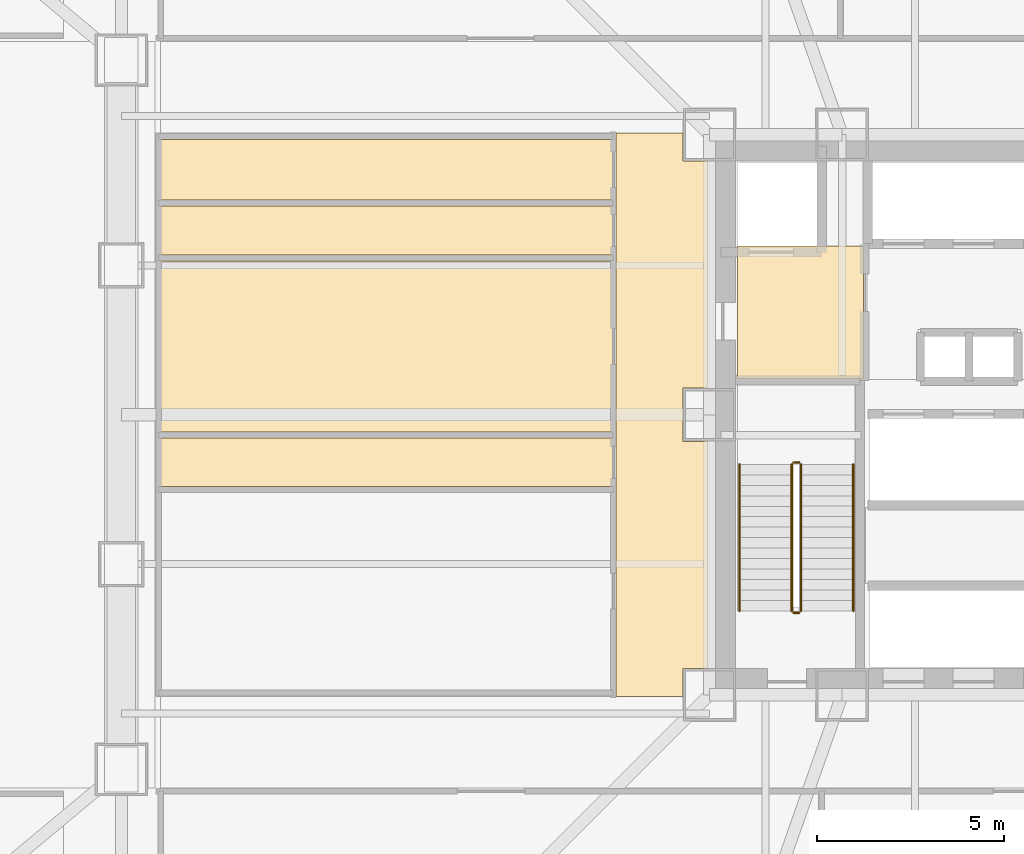
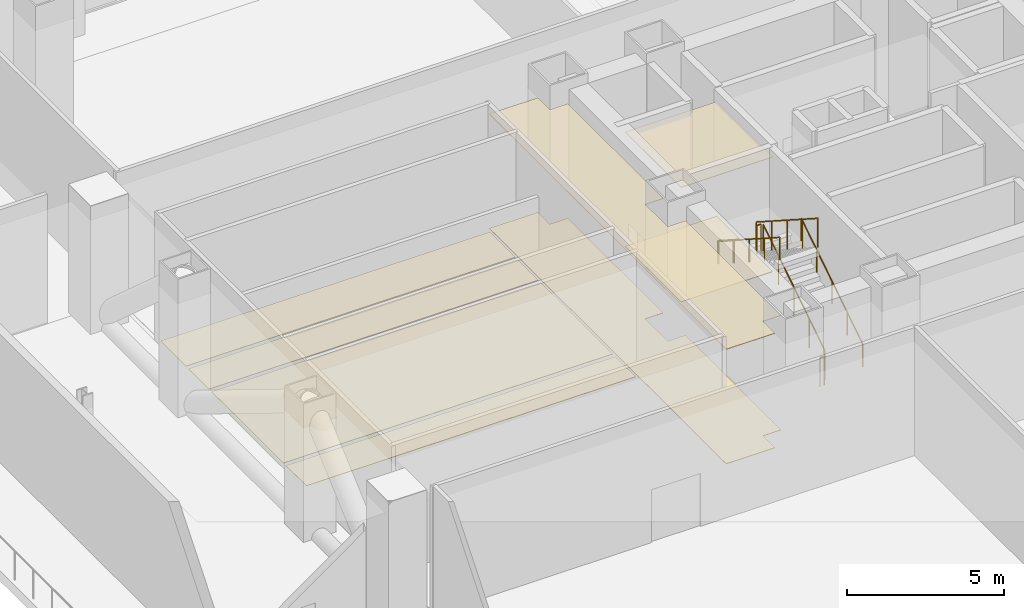
# One storey, part 18 of 21: 8 coverings, 6 railings.
"""IFC4 building model written with IfcOpenShell, lengths in metres."""

import ifcopenshell
import ifcopenshell.guid

model = None  # the IFC model being written
_history = None  # IfcOwnerHistory: only IFC2X3 demands one
_inside = {}  # id of a spatial element -> (the spatial element, [elements in it])
_under = {}  # id of a project, library or spatial element -> (it, [spatial elements below it])
_declared = {}  # id of a project -> (the project, [libraries it declares])
_typed = {}  # id of a type object -> (the type object, [elements of that type])
_made_of = {}  # id of a material, layer set ... -> (it, [elements and type objects made of it])


def new_model(schema):
    """Start an empty IFC model of exactly this schema.

    Asked for "IFC4X3", IfcOpenShell would pick the latest addendum, in which some entities
    have other attributes; the version numbers below select the first issue.
    IFC2X3 requires an IfcOwnerHistory on every rooted entity: one is made here for all.
    """
    global model, _history
    if schema == "IFC4X3":
        model = ifcopenshell.file(schema_version=(4, 3, 0, 0))
    else:
        model = ifcopenshell.file(schema=schema)
    _inside.clear()
    _under.clear()
    _declared.clear()
    _typed.clear()
    _made_of.clear()
    _history = None
    if model.schema == "IFC2X3":
        org = make("IfcOrganization", Name="unknown")
        user = make(
            "IfcPersonAndOrganization",
            ThePerson=make("IfcPerson", FamilyName="unknown"),
            TheOrganization=org,
        )
        app = make(
            "IfcApplication",
            ApplicationDeveloper=org,
            Version="unknown",
            ApplicationFullName="unknown",
            ApplicationIdentifier="unknown",
        )
        _history = make(
            "IfcOwnerHistory",
            OwningUser=user,
            OwningApplication=app,
            ChangeAction="ADDED",
            CreationDate=0,
        )
    return model


def make(cls, **values):
    """One entity of the class cls with the attributes given. An attribute that is None is left unset."""
    return model.create_entity(
        cls, **{name: value for name, value in values.items() if value is not None}
    )


def rooted(cls, **values):
    """An entity with a GlobalId (a new one), such as an element, a storey or a relation."""
    return make(cls, GlobalId=ifcopenshell.guid.new(), OwnerHistory=_history, **values)


def si_unit(unit_type, name, prefix=None):
    """IfcSIUnit, for example si_unit("LENGTHUNIT", "METRE", prefix="MILLI")."""
    return make("IfcSIUnit", UnitType=unit_type, Prefix=prefix, Name=name)


def assignment(units):
    """IfcUnitAssignment: the units of a project."""
    return None if units is None else make("IfcUnitAssignment", Units=units)


def point(xyz):
    """IfcCartesianPoint."""
    return None if xyz is None else make("IfcCartesianPoint", Coordinates=xyz)


def direction(xyz):
    """IfcDirection."""
    return None if xyz is None else make("IfcDirection", DirectionRatios=xyz)


def frame(location, z_axis=None, x_axis=None):
    """IfcAxis2Placement3D, a coordinate frame: its origin and axes. An axis left out is left unset."""
    return make(
        "IfcAxis2Placement3D",
        Location=point(location),
        Axis=direction(z_axis),
        RefDirection=direction(x_axis),
    )


def frame_2d(location, x_axis=None):
    """IfcAxis2Placement2D, a coordinate frame in the plane: its origin and x axis."""
    return make(
        "IfcAxis2Placement2D", Location=point(location), RefDirection=direction(x_axis)
    )


def origin():
    """The frame at (0, 0, 0) with its axes left unset."""
    return frame((0.0, 0.0, 0.0))


def origin_2d():
    """The frame at (0, 0) in the plane with its x axis left unset."""
    return frame_2d((0.0, 0.0))


def place(relative_to, where):
    """IfcLocalPlacement: puts the frame where relative to a parent placement (None: the world)."""
    return make(
        "IfcLocalPlacement", PlacementRelTo=relative_to, RelativePlacement=where
    )


def context(
    kind, dimensions, precision=None, world=None, true_north=None, identifier=None
):
    """IfcGeometricRepresentationContext, for example the 3D "Model" context."""
    return make(
        "IfcGeometricRepresentationContext",
        ContextIdentifier=identifier,
        ContextType=kind,
        CoordinateSpaceDimension=dimensions,
        Precision=precision,
        WorldCoordinateSystem=world,
        TrueNorth=true_north,
    )


def subcontext(parent, identifier, kind, view, scale=None):
    """IfcGeometricRepresentationSubContext, for example "Body" below "Model"."""
    return make(
        "IfcGeometricRepresentationSubContext",
        ContextIdentifier=identifier,
        ContextType=kind,
        ParentContext=parent,
        TargetScale=scale,
        TargetView=view,
    )


def project(units=None, contexts=None):
    """IfcProject with its units and contexts."""
    return rooted(
        "IfcProject",
        Name="project",
        RepresentationContexts=contexts,
        UnitsInContext=assignment(units),
    )


def spatial(cls, under=None, at=None, **own):
    """A site, building, storey or space (cls), placed at a placement, below another one or the project."""
    s = rooted(cls, ObjectPlacement=at, **own)
    if under is not None:
        _under.setdefault(under.id(), (under, []))[1].append(s)
    return s


def polyline(points):
    """IfcPolyline through the points."""
    return make("IfcPolyline", Points=[point(p) for p in points])


def profile(cls, at=None, kind="AREA", **sizes):
    """A parametric profile (cls). Its sizes go by their IFC names, for example OverallWidth=200.0."""
    return make(cls, ProfileType=kind, Position=at, **sizes)


def circle(**sizes):
    """IfcCircleProfileDef."""
    return profile("IfcCircleProfileDef", **sizes)


def outline(outer, holes=None, kind="AREA"):
    """IfcArbitraryClosedProfileDef: a profile drawn as a closed curve; with holes, ...WithVoids."""
    if holes is None:
        return make("IfcArbitraryClosedProfileDef", ProfileType=kind, OuterCurve=outer)
    return make(
        "IfcArbitraryProfileDefWithVoids",
        ProfileType=kind,
        OuterCurve=outer,
        InnerCurves=holes,
    )


def extrude(swept, where, along, depth):
    """IfcExtrudedAreaSolid: the profile swept, set in the frame where, extruded along a direction by depth."""
    return make(
        "IfcExtrudedAreaSolid",
        SweptArea=swept,
        Position=where,
        ExtrudedDirection=direction(along),
        Depth=depth,
    )


def shape(context_of_items, identifier, shape_type, items):
    """IfcShapeRepresentation: the items that make up one representation, for example the "Body"."""
    return make(
        "IfcShapeRepresentation",
        ContextOfItems=context_of_items,
        RepresentationIdentifier=identifier,
        RepresentationType=shape_type,
        Items=items,
    )


def material(Name=None, Category=None):
    """IfcMaterial."""
    return make("IfcMaterial", Name=Name, Category=Category)


def layer(
    of_material, thickness, ventilated=None, Name=None, Category=None, Priority=None
):
    """IfcMaterialLayer: one layer of a wall or slab, of a material (None: an air gap)."""
    return make(
        "IfcMaterialLayer",
        Material=of_material,
        LayerThickness=thickness,
        IsVentilated=ventilated,
        Name=Name,
        Category=Category,
        Priority=Priority,
    )


def layer_set(layers, Name=None):
    """IfcMaterialLayerSet."""
    return make("IfcMaterialLayerSet", MaterialLayers=layers, LayerSetName=Name)


def made_of(thing, what):
    """Note that an element or type object is made of a material, layer set ...; save() writes the relation."""
    if what is not None:
        _made_of.setdefault(what.id(), (what, []))[1].append(thing)
    return thing


def type_object(cls, material=None, **own):
    """A type object (cls), such as IfcWallType, which elements share."""
    return made_of(rooted(cls, **own), material)


def element(
    cls,
    number,
    at=None,
    inside=None,
    cuts=None,
    type_object=None,
    material=None,
    context=None,
    identifier="Body",
    shape_type=None,
    held_by="IfcProductDefinitionShape",
    body=None,
    shapes=None,
    **own,
):
    """One element of the class cls, such as IfcWall. Its Tag is "e" and its number.

    at: its placement. inside: the storey or other place that contains it. cuts: it is an
    opening in that element (IfcRelVoidsElement). A single representation is given by context,
    identifier, shape_type and body (its items); several are given by shapes. held_by: the class
    of the entity that holds the representations. save() writes the other relations.
    """
    e = rooted(cls, Tag="e%d" % number, ObjectPlacement=at, **own)
    if body is not None:
        shapes = [shape(context, identifier, shape_type, body)]
    if shapes is not None:
        e.Representation = make(held_by, Representations=shapes)
    if inside is not None:
        _inside.setdefault(inside.id(), (inside, []))[1].append(e)
    if cuts is not None:
        rooted(
            "IfcRelVoidsElement", RelatingBuildingElement=cuts, RelatedOpeningElement=e
        )
    if type_object is not None:
        _typed.setdefault(type_object.id(), (type_object, []))[1].append(e)
    return made_of(e, material)


def aggregate(whole, parts):
    """IfcRelAggregates: a whole, such as a stair, and the parts it consists of."""
    return rooted("IfcRelAggregates", RelatingObject=whole, RelatedObjects=parts)


def save(model, path):
    """Write the relations noted so far, then the file.

    IfcRelAggregates (storeys below a building ...), IfcRelContainedInSpatialStructure (elements
    in a storey), IfcRelDefinesByType, IfcRelAssociatesMaterial and IfcRelDeclares: one each for
    every whole, place, type object, material and project.
    """
    for whole, parts in _under.values():
        aggregate(whole, parts)
    for where, things in _inside.values():
        rooted(
            "IfcRelContainedInSpatialStructure",
            RelatedElements=things,
            RelatingStructure=where,
        )
    for kind, things in _typed.values():
        rooted("IfcRelDefinesByType", RelatedObjects=things, RelatingType=kind)
    for what, things in _made_of.values():
        rooted("IfcRelAssociatesMaterial", RelatedObjects=things, RelatingMaterial=what)
    for by, libraries in _declared.values():
        rooted("IfcRelDeclares", RelatingContext=by, RelatedDefinitions=libraries)
    model.write(path)


model = new_model("IFC4")

# Units and contexts
model_context = context("Model", 3, precision=1e-05, world=origin(), true_north=direction((0.0, 1.0)))
body_context = subcontext(model_context, "Body", "Model", "MODEL_VIEW")
ifc_project = project(units=[si_unit("LENGTHUNIT", "METRE"), si_unit("AREAUNIT", "SQUARE_METRE"), si_unit("VOLUMEUNIT", "CUBIC_METRE"), si_unit("PLANEANGLEUNIT", "RADIAN"), si_unit("MASSUNIT", "GRAM", prefix="KILO")], contexts=[model_context])

# Site, building, storey
site_placement = place(None, origin())
site = spatial("IfcSite", under=ifc_project, at=site_placement, CompositionType="ELEMENT")
building_placement = place(site_placement, origin())
building = spatial("IfcBuilding", under=site, at=building_placement, Name="Trevonay Congress Spire", CompositionType="ELEMENT")
storey_placement = place(building_placement, frame((0.0, 0.0, 21.60009765625)))
storey = spatial("IfcBuildingStorey", under=building, at=storey_placement, Name="L04", CompositionType="ELEMENT", Elevation=21.60009765625)

# Coverings
ifc_material_1 = material(Name="Acoustic Mineral Fibre Board", Category="gypsum")
ifc_layer_1 = layer(ifc_material_1, 0.02490234375, Name="Acoustic Mineral Fibre Board")
ifc_layer_set_1 = layer_set([ifc_layer_1], Name="Acoustic Mineral Fibre Board")
covering_type_1 = type_object("IfcCoveringType", Name="COV-CEIL-ACOUSTIC", PredefinedType="CEILING", material=ifc_layer_set_1)
covering_1_placement = place(storey_placement, frame((0.0, 0.0, 4.449951171875)))
element("IfcCovering", 1, at=covering_1_placement, inside=storey, type_object=covering_type_1, Name="L04 Firefighting Lift Lobby West acoustic suspended ceiling", PredefinedType="CEILING", context=body_context, shape_type="SweptSolid", body=[
    extrude(outline(polyline([(-6.75, 0.9599609375), (-3.3798828125, 0.9599609375), (-3.3798828125, 4.52001953125), (-6.75, 4.52001953125), (-6.75, 0.9599609375)])), origin(), (0.0, 0.0, 1.0), 0.02490234375),
])
covering_2_placement = place(storey_placement, frame((0.0, 0.0, 4.449951171875)))
element("IfcCovering", 2, at=covering_2_placement, inside=storey, type_object=covering_type_1, Name="L04 L04 Grand Concourse West acoustic suspended ceiling", PredefinedType="CEILING", context=body_context, shape_type="SweptSolid", body=[
    extrude(outline(polyline([(-10.0, 7.550048828125), (-8.2099609375, 7.550048828125), (-8.2099609375, 6.7900390625), (-7.550048828125, 6.7900390625), (-7.550048828125, 0.7099609375), (-8.2099609375, 0.7099609375), (-8.2099609375, -0.7099609375), (-7.550048828125, -0.7099609375), (-7.550048828125, -6.7900390625), (-8.2099609375, -6.7900390625), (-8.2099609375, -7.550048828125), (-10.0, -7.550048828125), (-10.0, 7.550048828125)])), origin(), (0.0, 0.0, 1.0), 0.02490234375),
])
ifc_material_2 = material(Name="Polished Granite Floor Tile", Category="masonry")
ifc_layer_2 = layer(ifc_material_2, 0.02001953125, Name="Polished Granite Floor Tile")
ifc_layer_set_2 = layer_set([ifc_layer_2], Name="Polished Granite Floor Tile")
covering_type_2 = type_object("IfcCoveringType", Name="COV-FLOOR-STONE", PredefinedType="FLOORING", material=ifc_layer_set_2)
covering_3_placement = place(storey_placement, origin())
element("IfcCovering", 3, at=covering_3_placement, inside=storey, type_object=covering_type_2, Name="L04 Firefighting Lift Lobby West floor finish", PredefinedType="FLOORING", context=body_context, shape_type="SweptSolid", body=[
    extrude(outline(polyline([(-6.75, 0.9599609375), (-3.3798828125, 0.9599609375), (-3.3798828125, 4.52001953125), (-6.75, 4.52001953125), (-6.75, 0.9599609375)])), origin(), (0.0, 0.0, 1.0), 0.02001953125),
])
covering_4_placement = place(storey_placement, origin())
element("IfcCovering", 4, at=covering_4_placement, inside=storey, type_object=covering_type_2, Name="L04 L04 Grand Concourse West floor finish", PredefinedType="FLOORING", context=body_context, shape_type="SweptSolid", body=[
    extrude(outline(polyline([(-10.0, 7.550048828125), (-8.2099609375, 7.550048828125), (-8.2099609375, 6.7900390625), (-7.550048828125, 6.7900390625), (-7.550048828125, 0.7099609375), (-8.2099609375, 0.7099609375), (-8.2099609375, -0.7099609375), (-7.550048828125, -0.7099609375), (-7.550048828125, -6.7900390625), (-8.2099609375, -6.7900390625), (-8.2099609375, -7.550048828125), (-10.0, -7.550048828125), (-10.0, 7.550048828125)])), origin(), (0.0, 0.0, 1.0), 0.02001953125),
])
covering_5_placement = place(storey_placement, origin())
element("IfcCovering", 5, at=covering_5_placement, inside=storey, type_object=covering_type_2, Name="L04 Accessible Restroom WC floor finish", PredefinedType="FLOORING", context=body_context, shape_type="SweptSolid", body=[
    extrude(outline(polyline([(-22.199951171875, -1.919921875), (-10.080078125, -1.919921875), (-10.080078125, -0.6201171875), (-22.199951171875, -0.6201171875), (-22.199951171875, -1.919921875)])), origin(), (0.0, 0.0, 1.0), 0.02001953125),
])
covering_6_placement = place(storey_placement, origin())
element("IfcCovering", 6, at=covering_6_placement, inside=storey, type_object=covering_type_2, Name="L04 Floor Supplies and Copy Room floor finish", PredefinedType="FLOORING", context=body_context, shape_type="SweptSolid", body=[
    extrude(outline(polyline([(-22.199951171875, -0.4599609375), (-10.080078125, -0.4599609375), (-10.080078125, 4.1201171875), (-22.199951171875, 4.1201171875), (-22.199951171875, -0.4599609375)])), origin(), (0.0, 0.0, 1.0), 0.02001953125),
])
covering_7_placement = place(storey_placement, origin())
element("IfcCovering", 7, at=covering_7_placement, inside=storey, type_object=covering_type_2, Name="L04 Male Restroom WC floor finish", PredefinedType="FLOORING", context=body_context, shape_type="SweptSolid", body=[
    extrude(outline(polyline([(-22.199951171875, 4.280029296875), (-10.080078125, 4.280029296875), (-10.080078125, 5.590087890625), (-22.199951171875, 5.590087890625), (-22.199951171875, 4.280029296875)])), origin(), (0.0, 0.0, 1.0), 0.02001953125),
])
covering_8_placement = place(storey_placement, origin())
element("IfcCovering", 8, at=covering_8_placement, inside=storey, type_object=covering_type_2, Name="L04 Floor Supplies and Copy Room floor finish", PredefinedType="FLOORING", context=body_context, shape_type="SweptSolid", body=[
    extrude(outline(polyline([(-22.199951171875, 5.75), (-10.080078125, 5.75), (-10.080078125, 7.3701171875), (-22.199951171875, 7.3701171875), (-22.199951171875, 5.75)])), origin(), (0.0, 0.0, 1.0), 0.02001953125),
])

# Railings
ifc_material_3 = material(Name="Pale Anodised Aluminium EN AW-6063-T6", Category="aluminium")
railing_type_1 = type_object("IfcRailingType", Name="RAL-STAIR-GUARD-110", PredefinedType="GUARDRAIL", material=ifc_material_3)
railing_1_placement = place(storey_placement, frame((-5.050048828125, -5.25, 0.179931640625)))
element("IfcRailing", 9, at=railing_1_placement, inside=storey, type_object=railing_type_1, Name="L04 ST-1 stair guard 1", PredefinedType="GUARDRAIL", context=body_context, shape_type="SweptSolid", body=[
    extrude(circle(Radius=0.02392578125, at=origin_2d()), frame((0.0, 0.0, 1.1259765625), z_axis=(0.0, 0.841171666519, 0.540768182723), x_axis=(-1.0, 0.0, 0.0)), (0.0, 0.0, 1.0), 4.66015625),
    extrude(circle(Radius=0.02099609375, at=origin_2d()), origin(), (0.0, 0.0, 1.0), 1.101806640625),
    extrude(circle(Radius=0.02099609375, at=origin_2d()), frame((0.0, 0.97998046875, 0.6298828125)), (0.0, 0.0, 1.0), 1.101806640625),
    extrude(circle(Radius=0.02099609375, at=origin_2d()), frame((0.0, 1.9599609375, 1.260009765625)), (0.0, 0.0, 1.0), 1.101806640625),
    extrude(circle(Radius=0.02099609375, at=origin_2d()), frame((0.0, 2.93994140625, 1.89013671875)), (0.0, 0.0, 1.0), 1.101806640625),
    extrude(circle(Radius=0.02099609375, at=origin_2d()), frame((0.0, 3.919921875, 2.52001953125)), (0.0, 0.0, 1.0), 1.101806640625),
])
railing_2_placement = place(storey_placement, frame((-5.10009765625, -1.280029296875, 2.699951171875)))
element("IfcRailing", 10, at=railing_2_placement, inside=storey, type_object=railing_type_1, Name="L04 ST-1 stair guard 2", PredefinedType="GUARDRAIL", context=body_context, shape_type="SweptSolid", body=[
    extrude(circle(Radius=0.02392578125, at=origin_2d()), frame((0.0, 0.0, 1.1259765625), z_axis=(-1.0, 0.0, 0.0), x_axis=(0.0, -1.0, 0.0)), (0.0, 0.0, 1.0), 0.14990234375),
    extrude(circle(Radius=0.02099609375, at=origin_2d()), origin(), (0.0, 0.0, 1.0), 1.101806640625),
    extrude(circle(Radius=0.02099609375, at=origin_2d()), frame((-0.14990234375, 0.0, 0.0)), (0.0, 0.0, 1.0), 1.101806640625),
])
railing_3_placement = place(storey_placement, frame((-5.300048828125, -1.330078125, 2.8798828125)))
element("IfcRailing", 11, at=railing_3_placement, inside=storey, type_object=railing_type_1, Name="L04 ST-1 stair guard 3", PredefinedType="GUARDRAIL", context=body_context, shape_type="SweptSolid", body=[
    extrude(circle(Radius=0.02392578125, at=origin_2d()), frame((0.0, 0.0, 1.1259765625), z_axis=(0.0, -0.841171666519, 0.540768182723), x_axis=(1.0, 0.0, 0.0)), (0.0, 0.0, 1.0), 4.66015625),
    extrude(circle(Radius=0.02099609375, at=origin_2d()), origin(), (0.0, 0.0, 1.0), 1.101806640625),
    extrude(circle(Radius=0.02099609375, at=origin_2d()), frame((0.0, -0.97998046875, 0.6298828125)), (0.0, 0.0, 1.0), 1.101806640625),
    extrude(circle(Radius=0.02099609375, at=origin_2d()), frame((0.0, -1.9599609375, 1.260009765625)), (0.0, 0.0, 1.0), 1.101806640625),
    extrude(circle(Radius=0.02099609375, at=origin_2d()), frame((0.0, -2.93994140625, 1.89013671875)), (0.0, 0.0, 1.0), 1.101806640625),
    extrude(circle(Radius=0.02099609375, at=origin_2d()), frame((0.0, -3.919921875, 2.52001953125)), (0.0, 0.0, 1.0), 1.101806640625),
])
railing_4_placement = place(storey_placement, frame((-5.10009765625, -5.300048828125, 0.0)))
element("IfcRailing", 12, at=railing_4_placement, inside=storey, type_object=railing_type_1, Name="L04 ST-1 stair guard 4", PredefinedType="GUARDRAIL", context=body_context, shape_type="SweptSolid", body=[
    extrude(circle(Radius=0.02392578125, at=origin_2d()), frame((0.0, 0.0, 1.1259765625), z_axis=(-1.0, 0.0, 0.0), x_axis=(0.0, -1.0, 0.0)), (0.0, 0.0, 1.0), 0.14990234375),
    extrude(circle(Radius=0.02099609375, at=origin_2d()), origin(), (0.0, 0.0, 1.0), 1.101806640625),
    extrude(circle(Radius=0.02099609375, at=origin_2d()), frame((-0.14990234375, 0.0, 0.0)), (0.0, 0.0, 1.0), 1.101806640625),
])
railing_type_2 = type_object("IfcRailingType", Name="RAL-STAIR-HANDRAIL", PredefinedType="HANDRAIL", material=ifc_material_3)
railing_5_placement = place(storey_placement, frame((-3.64990234375, -5.25, 0.179931640625)))
element("IfcRailing", 13, at=railing_5_placement, inside=storey, type_object=railing_type_2, Name="L04 ST-1 stair handrail 1", PredefinedType="HANDRAIL", context=body_context, shape_type="SweptSolid", body=[
    extrude(circle(Radius=0.02392578125, at=origin_2d()), frame((0.0, 0.0, 0.8759765625), z_axis=(0.0, 0.841171666519, 0.540768182723), x_axis=(-1.0, 0.0, 0.0)), (0.0, 0.0, 1.0), 4.66015625),
    extrude(circle(Radius=0.02099609375, at=origin_2d()), origin(), (0.0, 0.0, 1.0), 0.851806640625),
    extrude(circle(Radius=0.02099609375, at=origin_2d()), frame((0.0, 0.97998046875, 0.6298828125)), (0.0, 0.0, 1.0), 0.851806640625),
    extrude(circle(Radius=0.02099609375, at=origin_2d()), frame((0.0, 1.9599609375, 1.260009765625)), (0.0, 0.0, 1.0), 0.851806640625),
    extrude(circle(Radius=0.02099609375, at=origin_2d()), frame((0.0, 2.93994140625, 1.89013671875)), (0.0, 0.0, 1.0), 0.851806640625),
    extrude(circle(Radius=0.02099609375, at=origin_2d()), frame((0.0, 3.919921875, 2.52001953125)), (0.0, 0.0, 1.0), 0.851806640625),
])
railing_6_placement = place(storey_placement, frame((-6.699951171875, -1.330078125, 2.8798828125)))
element("IfcRailing", 14, at=railing_6_placement, inside=storey, type_object=railing_type_2, Name="L04 ST-1 stair handrail 2", PredefinedType="HANDRAIL", context=body_context, shape_type="SweptSolid", body=[
    extrude(circle(Radius=0.02392578125, at=origin_2d()), frame((0.0, 0.0, 0.8759765625), z_axis=(0.0, -0.841171666519, 0.540768182723), x_axis=(1.0, 0.0, 0.0)), (0.0, 0.0, 1.0), 4.66015625),
    extrude(circle(Radius=0.02099609375, at=origin_2d()), origin(), (0.0, 0.0, 1.0), 0.851806640625),
    extrude(circle(Radius=0.02099609375, at=origin_2d()), frame((0.0, -0.97998046875, 0.6298828125)), (0.0, 0.0, 1.0), 0.851806640625),
    extrude(circle(Radius=0.02099609375, at=origin_2d()), frame((0.0, -1.9599609375, 1.260009765625)), (0.0, 0.0, 1.0), 0.851806640625),
    extrude(circle(Radius=0.02099609375, at=origin_2d()), frame((0.0, -2.93994140625, 1.89013671875)), (0.0, 0.0, 1.0), 0.851806640625),
    extrude(circle(Radius=0.02099609375, at=origin_2d()), frame((0.0, -3.919921875, 2.52001953125)), (0.0, 0.0, 1.0), 0.851806640625),
])

save(model, "model.ifc")
